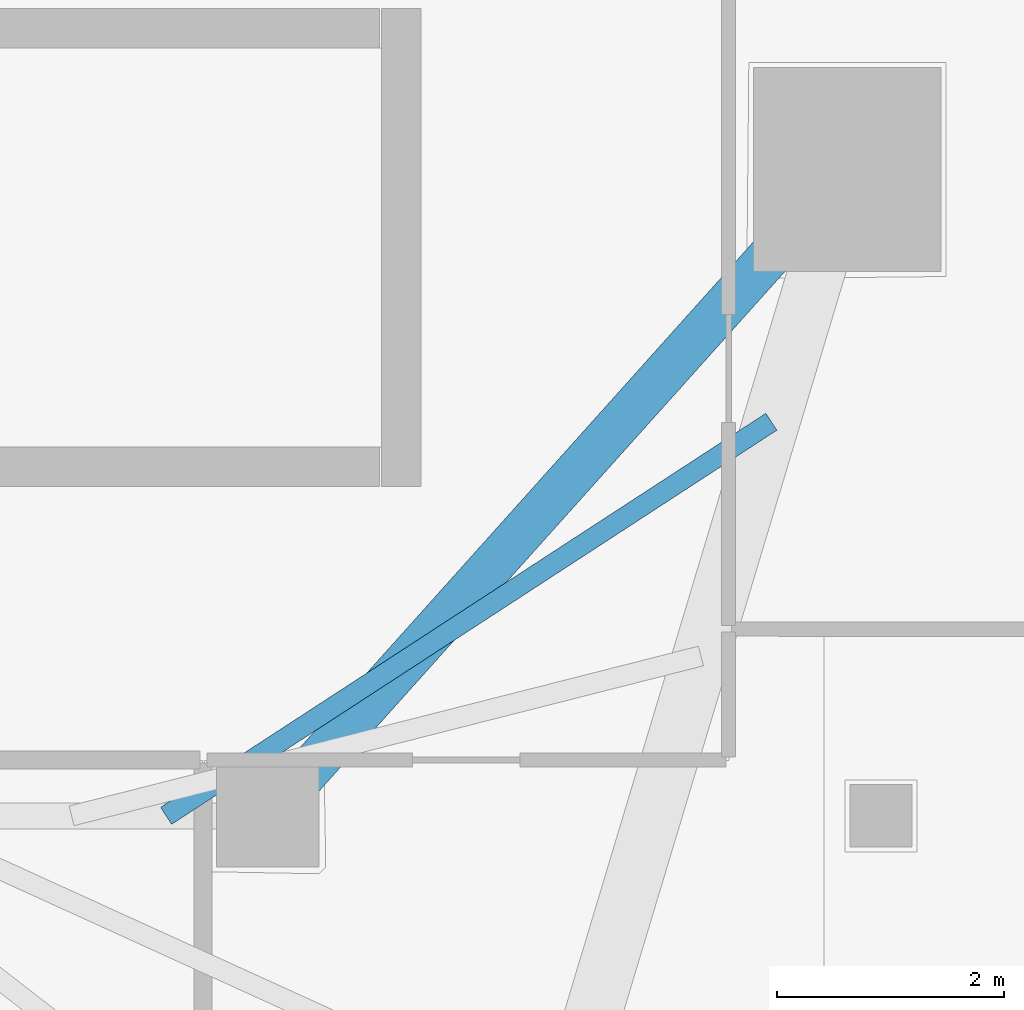
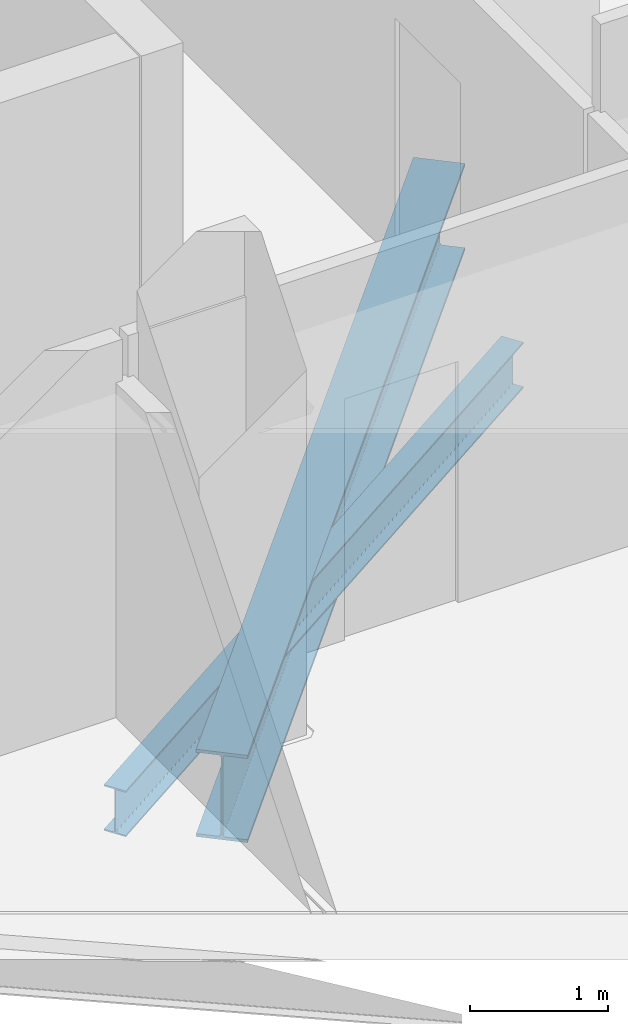
# One storey, part 11 of 33: 2 beams.
"""IFC4 building model written with IfcOpenShell, lengths in metres."""

from ifc_helpers import new_model, si_unit, direction, frame, origin, origin_2d, place, context, subcontext, project, spatial, i_section, extrude, material, material_profile, profile_set, type_object, element, save


model = new_model("IFC4")

# Units and contexts
model_context = context("Model", 3, precision=1e-05, world=origin(), true_north=direction((0.0, 1.0)))
body_context = subcontext(model_context, "Body", "Model", "MODEL_VIEW")
ifc_project = project(units=[si_unit("LENGTHUNIT", "METRE"), si_unit("AREAUNIT", "SQUARE_METRE"), si_unit("VOLUMEUNIT", "CUBIC_METRE"), si_unit("PLANEANGLEUNIT", "RADIAN"), si_unit("MASSUNIT", "GRAM", prefix="KILO")], contexts=[model_context])

# Site, building, storey
site_placement = place(None, origin())
site = spatial("IfcSite", under=ifc_project, at=site_placement, CompositionType="ELEMENT")
building_placement = place(site_placement, origin())
building = spatial("IfcBuilding", under=site, at=building_placement, Name="Qorvath Tower", CompositionType="ELEMENT")
storey_placement = place(building_placement, frame((0.0, 0.0, 237.449951171875)))
storey = spatial("IfcBuildingStorey", under=building, at=storey_placement, Name="L55", CompositionType="ELEMENT", Elevation=237.449951171875)

# Beams
ifc_material_1 = material(Name="Steel ASTM A992 Grade 50", Category="steel")
ifc_material_profile_1 = material_profile(ifc_material_1, i_section(OverallWidth=0.381103515625, OverallDepth=0.77294921875, WebThickness=0.0166015625, FlangeThickness=0.027099609375, FilletRadius=0.01904296875, at=origin_2d()), Name="W30x173")
ifc_profile_set_1 = profile_set([ifc_material_profile_1], Name="Steel ASTM A992 Grade 50")
beam_type_1 = type_object("IfcBeamType", Name="BM-FG3", PredefinedType="BEAM", material=ifc_profile_set_1)
beam_1_placement = place(storey_placement, frame((-17.199951171875, -11.449951171875, -0.656494140625), z_axis=(0.667543184261, 0.744571082669, 0.0), x_axis=(-0.744571082669, 0.667543184261, 0.0)))
element("IfcBeam", 1, at=beam_1_placement, inside=storey, type_object=beam_type_1, Name="Radial Floor Girder CC3-MC4 L55", PredefinedType="BEAM", context=body_context, shape_type="SweptSolid", body=[
    extrude(i_section(OverallWidth=0.381103515625, OverallDepth=0.77294921875, WebThickness=0.0166015625, FlangeThickness=0.027099609375, FilletRadius=0.01904296875, at=origin_2d()), origin(), (0.0, 0.0, 1.0), 7.644775390625),
])
ifc_material_2 = material(Name="Steel ASTM A992 Grade 50", Category="steel")
ifc_material_profile_2 = material_profile(ifc_material_2, i_section(OverallWidth=0.177978515625, OverallDepth=0.406005859375, WebThickness=0.0078125, FlangeThickness=0.0126953125, FilletRadius=0.010986328125, at=origin_2d()), Name="W16x40")
ifc_profile_set_2 = profile_set([ifc_material_profile_2], Name="Steel ASTM A992 Grade 50")
beam_type_2 = type_object("IfcBeamType", Name="BM-FJ3", PredefinedType="JOIST", material=ifc_profile_set_2)
beam_2_placement = place(storey_placement, frame((-18.095947265625, -11.449951171875, -0.47314453125), z_axis=(0.838041756057, 0.545606098853, 0.0), x_axis=(-0.545606098853, 0.838041756057, 0.0)))
element("IfcBeam", 2, at=beam_2_placement, inside=storey, type_object=beam_type_2, Name="Composite Floor Joist SE1 L55", PredefinedType="JOIST", context=body_context, shape_type="SweptSolid", body=[
    extrude(i_section(OverallWidth=0.177978515625, OverallDepth=0.406005859375, WebThickness=0.0078125, FlangeThickness=0.0126953125, FilletRadius=0.010986328125, at=origin_2d()), origin(), (0.0, 0.0, 1.0), 6.36083984375),
])

save(model, "model.ifc")
